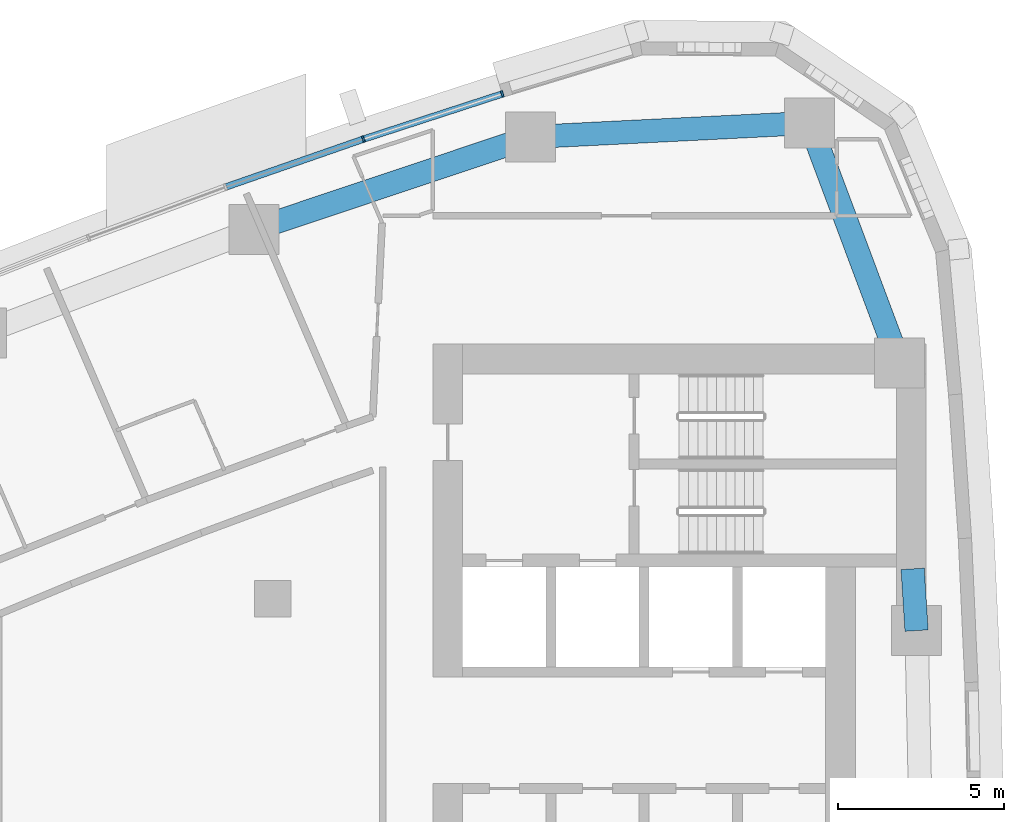
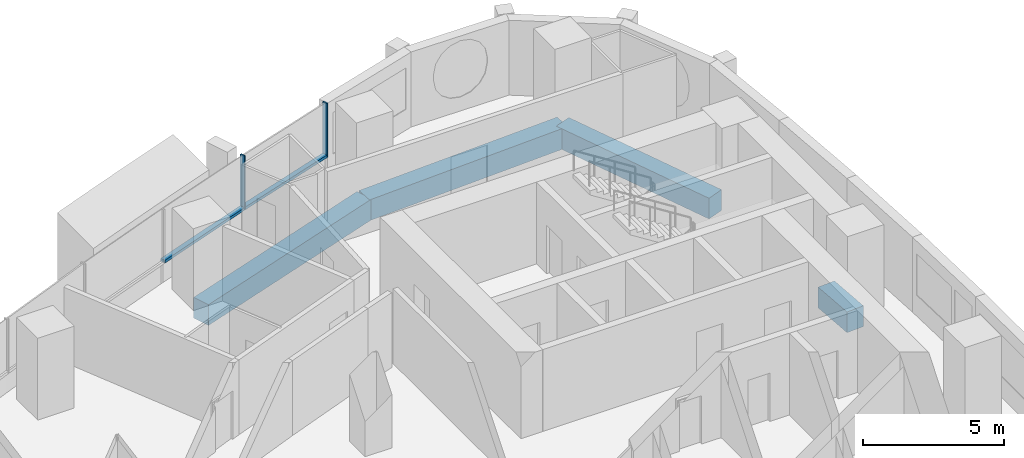
# One storey, part 6 of 17: 4 beams, 4 members, 1 element without a shape of its own.
"""IFC4 building model written with IfcOpenShell, lengths in metres."""

from ifc_helpers import new_model, si_unit, direction, frame, origin, origin_2d, place, context, subcontext, project, spatial, rectangle, extrude, material, layer, layer_set, material_profile, profile_set, type_object, element, aggregate, save


model = new_model("IFC4")

# Units and contexts
model_context = context("Model", 3, precision=1e-05, world=origin(), true_north=direction((0.0, 1.0)))
body_context = subcontext(model_context, "Body", "Model", "MODEL_VIEW")
ifc_project = project(units=[si_unit("LENGTHUNIT", "METRE"), si_unit("AREAUNIT", "SQUARE_METRE"), si_unit("VOLUMEUNIT", "CUBIC_METRE"), si_unit("PLANEANGLEUNIT", "RADIAN"), si_unit("MASSUNIT", "GRAM", prefix="KILO")], contexts=[model_context])

# Site, building, storey
site_placement = place(None, origin())
site = spatial("IfcSite", under=ifc_project, at=site_placement, CompositionType="ELEMENT")
building_placement = place(site_placement, origin())
building = spatial("IfcBuilding", under=site, at=building_placement, Name="Ostrand Prow Hotel Tower", CompositionType="ELEMENT")
storey_placement = place(building_placement, frame((0.0, 0.0, 151.5)))
storey = spatial("IfcBuildingStorey", under=building, at=storey_placement, Name="L37", CompositionType="ELEMENT", Elevation=151.5)

# Beams
ifc_material_1 = material(Name="Concrete C70/85", Category="concrete")
ifc_material_profile_1 = material_profile(ifc_material_1, rectangle(XDim=0.699951171875, YDim=0.89990234375, at=origin_2d()), Name="RC 700x900")
ifc_profile_set_1 = profile_set([ifc_material_profile_1], Name="Concrete C70/85")
beam_type = type_object("IfcBeamType", Name="Edge beam 700x900 C70/85", PredefinedType="SPANDREL", material=ifc_profile_set_1)
beam_1_placement = place(storey_placement, frame((64.32958984375, 8.044677734375, -0.75), z_axis=(-0.063563790544, 0.997977777574, 0.0), x_axis=(-0.997977777574, -0.063563790544, 0.0)))
element("IfcBeam", 1, at=beam_1_placement, inside=storey, type_object=beam_type, Name="Edge beam B4-B5", PredefinedType="SPANDREL", context=body_context, shape_type="SweptSolid", body=[
    extrude(rectangle(XDim=0.699951171875, YDim=0.89990234375, at=origin_2d()), origin(), (0.0, 0.0, 1.0), 1.85888671875),
])
beam_2_placement = place(storey_placement, frame((63.584716796875, 16.699951171875, -0.75), z_axis=(-0.350602524344, 0.93652435629, 0.0), x_axis=(-0.93652435629, -0.350602524344, 0.0)))
element("IfcBeam", 2, at=beam_2_placement, inside=storey, type_object=beam_type, Name="Edge beam B5-NE", PredefinedType="SPANDREL", context=body_context, shape_type="SweptSolid", body=[
    extrude(rectangle(XDim=0.699951171875, YDim=0.89990234375, at=origin_2d()), origin(), (0.0, 0.0, 1.0), 7.037353515625),
])
beam_3_placement = place(storey_placement, frame((61.117431640625, 23.29052734375, -0.75), z_axis=(-0.99873741544, -0.050235196825, 0.0), x_axis=(0.050235196825, -0.99873741544, 0.0)))
element("IfcBeam", 3, at=beam_3_placement, inside=storey, type_object=beam_type, Name="Edge beam NE-N1", PredefinedType="SPANDREL", context=body_context, shape_type="SweptSolid", body=[
    extrude(rectangle(XDim=0.699951171875, YDim=0.89990234375, at=origin_2d()), origin(), (0.0, 0.0, 1.0), 8.38818359375),
])
beam_4_placement = place(storey_placement, frame((52.73974609375, 22.869140625, -0.75), z_axis=(-0.948376051094, -0.317148018616, 0.0), x_axis=(0.317148018616, -0.948376051094, 0.0)))
element("IfcBeam", 4, at=beam_4_placement, inside=storey, type_object=beam_type, Name="Edge beam N1-N2", PredefinedType="SPANDREL", context=body_context, shape_type="SweptSolid", body=[
    extrude(rectangle(XDim=0.699951171875, YDim=0.89990234375, at=origin_2d()), origin(), (0.0, 0.0, 1.0), 8.75341796875),
])

# Curtain wall, members
ifc_material_2 = material(Name="Insulated glass in bronze anodised frame", Category="glass")
ifc_layer = layer(ifc_material_2, 0.199951171875)
ifc_layer_set = layer_set([ifc_layer], Name="Insulated glass in bronze anodised frame")
curtain_wall_type = type_object("IfcCurtainWallType", Name="Strip curtain wall, fritted glass over bronze spandrel", PredefinedType="NOTDEFINED", material=ifc_layer_set)
curtain_wall_placement = place(storey_placement, origin())
curtain_wall = element("IfcCurtainWall", 5, at=curtain_wall_placement, inside=storey, type_object=curtain_wall_type, Name="CW1 run CWN1", PredefinedType="NOTDEFINED")
ifc_material_3 = material(Name="Bronze anodised aluminium", Category="aluminium")
ifc_material_profile_2 = material_profile(ifc_material_3, rectangle(XDim=0.199951171875, YDim=0.06005859375, at=origin_2d()), Name="Mullion 60x200 bronze anodised aluminium")
ifc_profile_set_2 = profile_set([ifc_material_profile_2], Name="Bronze anodised aluminium")
member_type_1 = type_object("IfcMemberType", Name="Mullion 60x200 bronze anodised aluminium", PredefinedType="MULLION", material=ifc_profile_set_2)
member_1_placement = place(storey_placement, frame((51.888916015625, 24.16162109375, 0.89990234375), z_axis=(0.0, 0.0, 1.0), x_axis=(0.309380491373, -0.950938332153, 0.0)))
member_1 = element("IfcMember", 6, at=member_1_placement, type_object=member_type_1, Name="CW1 mullion 1", PredefinedType="MULLION", context=body_context, shape_type="SweptSolid", body=[
    extrude(rectangle(XDim=0.199951171875, YDim=0.06005859375, at=origin_2d()), origin(), (0.0, 0.0, 1.0), 2.35009765625),
])
member_2_placement = place(storey_placement, frame((47.718017578125, 22.8046875, 0.89990234375), z_axis=(0.0, 0.0, 1.0), x_axis=(0.328428177424, -0.944528947293, 0.0)))
member_2 = element("IfcMember", 7, at=member_2_placement, type_object=member_type_1, Name="CW1 mullion 2", PredefinedType="MULLION", context=body_context, shape_type="SweptSolid", body=[
    extrude(rectangle(XDim=0.199951171875, YDim=0.06005859375, at=origin_2d()), origin(), (0.0, 0.0, 1.0), 2.35009765625),
])
ifc_material_4 = material(Name="Bronze anodised aluminium", Category="aluminium")
ifc_material_profile_3 = material_profile(ifc_material_4, rectangle(XDim=0.199951171875, YDim=0.1201171875, at=origin_2d()), Name="Transom 120x200 bronze anodised aluminium")
ifc_profile_set_3 = profile_set([ifc_material_profile_3], Name="Bronze anodised aluminium")
member_type_2 = type_object("IfcMemberType", Name="Transom 120x200 bronze anodised aluminium", PredefinedType="USERDEFINED", material=ifc_profile_set_3)
member_3_placement = place(storey_placement, frame((51.8603515625, 24.15234375, 0.9599609375), z_axis=(-0.950938634958, -0.309379560643, 0.0), x_axis=(0.309379560643, -0.950938634958, 0.0)))
member_3 = element("IfcMember", 8, at=member_3_placement, type_object=member_type_2, Name="CW1 transom 1.1", ObjectType="TRANSOM", PredefinedType="USERDEFINED", context=body_context, shape_type="SweptSolid", body=[
    extrude(rectangle(XDim=0.199951171875, YDim=0.1201171875, at=origin_2d()), origin(), (0.0, 0.0, 1.0), 4.325927734375),
])
member_4_placement = place(storey_placement, frame((47.689697265625, 22.794921875, 0.9599609375), z_axis=(-0.944524201162, -0.328441826538, 0.0), x_axis=(0.328441826538, -0.944524201162, 0.0)))
member_4 = element("IfcMember", 9, at=member_4_placement, type_object=member_type_2, Name="CW1 transom 2.1", ObjectType="TRANSOM", PredefinedType="USERDEFINED", context=body_context, shape_type="SweptSolid", body=[
    extrude(rectangle(XDim=0.199951171875, YDim=0.1201171875, at=origin_2d()), origin(), (0.0, 0.0, 1.0), 4.326171875),
])
aggregate(curtain_wall, [member_1, member_2, member_3, member_4])

save(model, "model.ifc")
